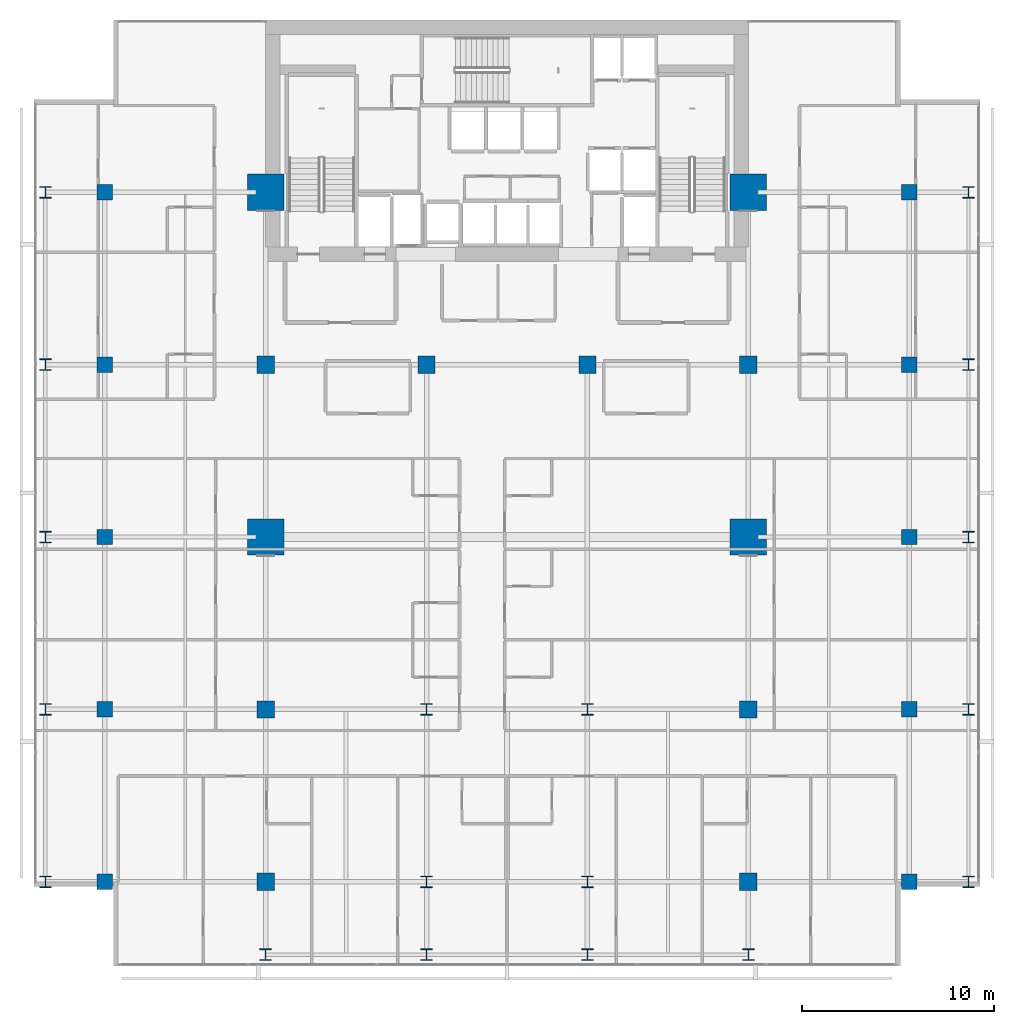
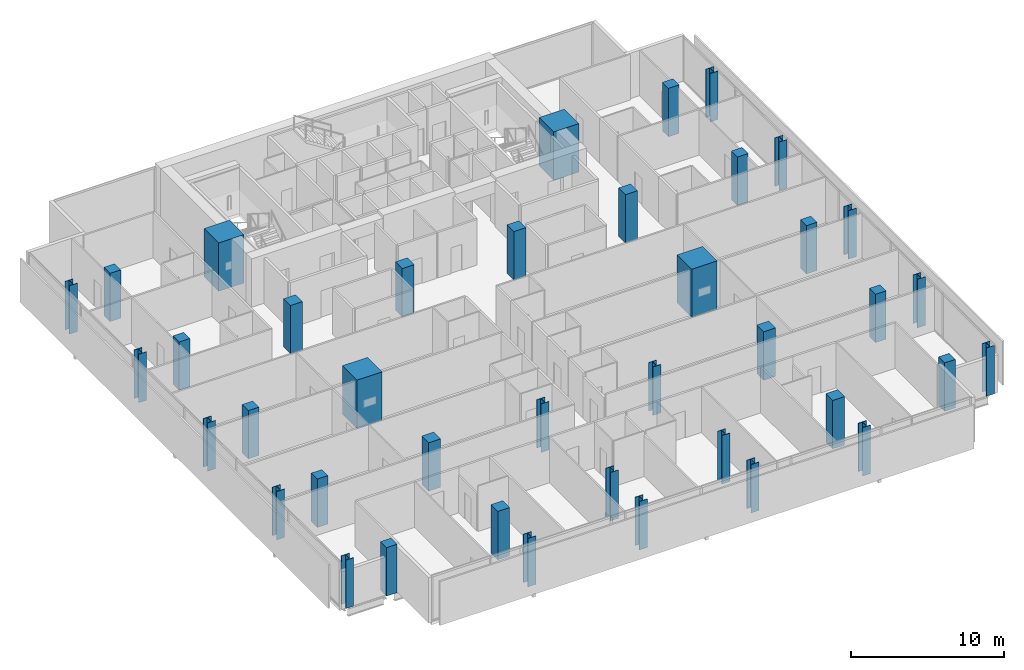
# One storey, part 1 of 34: 40 columns.
"""IFC4 building model written with IfcOpenShell, lengths in metres."""

from ifc_helpers import new_model, si_unit, direction, frame, origin, origin_2d, place, context, subcontext, project, spatial, rectangle, i_section, extrude, material, material_profile, profile_set, type_object, element, save


model = new_model("IFC4")

# Units and contexts
model_context = context("Model", 3, precision=1e-05, world=origin(), true_north=direction((0.0, 1.0)))
body_context = subcontext(model_context, "Body", "Model", "MODEL_VIEW")
ifc_project = project(units=[si_unit("LENGTHUNIT", "METRE"), si_unit("AREAUNIT", "SQUARE_METRE"), si_unit("VOLUMEUNIT", "CUBIC_METRE"), si_unit("PLANEANGLEUNIT", "RADIAN"), si_unit("MASSUNIT", "GRAM", prefix="KILO")], contexts=[model_context])

# Site, building, storey
site_placement = place(None, origin())
site = spatial("IfcSite", under=ifc_project, at=site_placement, CompositionType="ELEMENT")
building_placement = place(site_placement, origin())
building = spatial("IfcBuilding", under=site, at=building_placement, Name="Maruvema Waterfront Hotel and Observation Tower", CompositionType="ELEMENT")
storey_placement = place(building_placement, frame((0.0, 0.0, 146.64990234375)))
storey = spatial("IfcBuildingStorey", under=building, at=storey_placement, Name="L35", CompositionType="ELEMENT", Elevation=146.64990234375)

# Columns
ifc_material_1 = material(Name="Concrete C80/95", Category="concrete")
ifc_material_profile_1 = material_profile(ifc_material_1, rectangle(XDim=1.89990234375, YDim=1.89990234375, at=origin_2d()), Name="MC1900x1900")
ifc_profile_set_1 = profile_set([ifc_material_profile_1], Name="Concrete C80/95")
column_type_1 = type_object("IfcColumnType", Name="Continuous Mega-Column MC1900x1900", PredefinedType="COLUMN", material=ifc_profile_set_1)
for number, where, z_axis, x_axis, name in (
    (1, (25.199951171875, 27.0, 0.0), (0.0, 0.0, 1.0), (1.0, 0.0, 0.0), "L35 Continuous Mega-Column MC-01"),
    (2, (50.39990234375, 27.0, 0.0), (0.0, 0.0, 1.0), (1.0, 0.0, 0.0), "L35 Continuous Mega-Column MC-02"),
    (3, (25.199951171875, 45.0, 0.0), (0.0, 0.0, 1.0), (1.0, 0.0, 0.0), "L35 Continuous Mega-Column MC-03"),
    (4, (50.39990234375, 45.0, 0.0), (0.0, 0.0, 1.0), (1.0, 0.0, 0.0), "L35 Continuous Mega-Column MC-04"),
):
    element("IfcColumn", number, at=place(storey_placement, frame(where, z_axis=z_axis, x_axis=x_axis)), inside=storey, type_object=column_type_1, Name=name, PredefinedType="COLUMN", context=body_context, shape_type="SweptSolid", body=[
        extrude(rectangle(XDim=1.89990234375, YDim=1.89990234375, at=origin_2d()), origin(), (0.0, 0.0, 1.0), 3.85009765625),
    ])
ifc_material_2 = material(Name="Concrete C60/75", Category="concrete")
ifc_material_profile_2 = material_profile(ifc_material_2, rectangle(XDim=0.800048828125, YDim=0.800048828125, at=origin_2d()), Name="RC800x800")
ifc_profile_set_2 = profile_set([ifc_material_profile_2], Name="Concrete C60/75")
column_type_2 = type_object("IfcColumnType", Name="Reinforced Concrete Column RC800x800", PredefinedType="COLUMN", material=ifc_profile_set_2)
for number, where, z_axis, x_axis, name in (
    (5, (16.800048828125, 9.0, 0.0), (0.0, 0.0, 1.0), (1.0, 0.0, 0.0), "L35 Column C-3Y9"),
    (6, (58.800048828125, 9.0, 0.0), (0.0, 0.0, 1.0), (1.0, 0.0, 0.0), "L35 Column C-8Y9"),
    (7, (16.800048828125, 18.0, 0.0), (0.0, 0.0, 1.0), (1.0, 0.0, 0.0), "L35 Column C-3Y18"),
    (8, (58.800048828125, 18.0, 0.0), (0.0, 0.0, 1.0), (1.0, 0.0, 0.0), "L35 Column C-8Y18"),
    (9, (16.800048828125, 27.0, 0.0), (0.0, 0.0, 1.0), (1.0, 0.0, 0.0), "L35 Column C-3Y27"),
    (10, (58.800048828125, 27.0, 0.0), (0.0, 0.0, 1.0), (1.0, 0.0, 0.0), "L35 Column C-8Y27"),
    (11, (16.800048828125, 36.0, 0.0), (0.0, 0.0, 1.0), (1.0, 0.0, 0.0), "L35 Column C-3Y36"),
    (12, (58.800048828125, 36.0, 0.0), (0.0, 0.0, 1.0), (1.0, 0.0, 0.0), "L35 Column C-8Y36"),
    (13, (16.800048828125, 45.0, 0.0), (0.0, 0.0, 1.0), (1.0, 0.0, 0.0), "L35 Column C-3Y45"),
    (14, (58.800048828125, 45.0, 0.0), (0.0, 0.0, 1.0), (1.0, 0.0, 0.0), "L35 Column C-8Y45"),
):
    element("IfcColumn", number, at=place(storey_placement, frame(where, z_axis=z_axis, x_axis=x_axis)), inside=storey, type_object=column_type_2, Name=name, PredefinedType="COLUMN", context=body_context, shape_type="SweptSolid", body=[
        extrude(rectangle(XDim=0.800048828125, YDim=0.800048828125, at=origin_2d()), origin(), (0.0, 0.0, 1.0), 3.85009765625),
    ])
ifc_material_3 = material(Name="Concrete C60/75", Category="concrete")
ifc_material_profile_3 = material_profile(ifc_material_3, rectangle(XDim=0.89990234375, YDim=0.89990234375, at=origin_2d()), Name="RC900x900")
ifc_profile_set_3 = profile_set([ifc_material_profile_3], Name="Concrete C60/75")
column_type_3 = type_object("IfcColumnType", Name="Reinforced Concrete Column RC900x900", PredefinedType="COLUMN", material=ifc_profile_set_3)
for number, where, z_axis, x_axis, name in (
    (15, (25.199951171875, 36.0, 0.0), (0.0, 0.0, 1.0), (1.0, 0.0, 0.0), "L35 Column C-4E"),
    (16, (33.60009765625, 36.0, 0.0), (0.0, 0.0, 1.0), (1.0, 0.0, 0.0), "L35 Column C-5E"),
    (17, (42.0, 36.0, 0.0), (0.0, 0.0, 1.0), (1.0, 0.0, 0.0), "L35 Column C-6E"),
    (18, (50.39990234375, 36.0, 0.0), (0.0, 0.0, 1.0), (1.0, 0.0, 0.0), "L35 Column C-7E"),
    (19, (25.199951171875, 18.0, 0.0), (0.0, 0.0, 1.0), (1.0, 0.0, 0.0), "L35 Column C-4C"),
    (20, (50.39990234375, 18.0, 0.0), (0.0, 0.0, 1.0), (1.0, 0.0, 0.0), "L35 Column C-7C"),
    (21, (25.199951171875, 9.0, 0.0), (0.0, 0.0, 1.0), (1.0, 0.0, 0.0), "L35 Column C-4B"),
    (22, (50.39990234375, 9.0, 0.0), (0.0, 0.0, 1.0), (1.0, 0.0, 0.0), "L35 Column C-7B"),
):
    element("IfcColumn", number, at=place(storey_placement, frame(where, z_axis=z_axis, x_axis=x_axis)), inside=storey, type_object=column_type_3, Name=name, PredefinedType="COLUMN", context=body_context, shape_type="SweptSolid", body=[
        extrude(rectangle(XDim=0.89990234375, YDim=0.89990234375, at=origin_2d()), origin(), (0.0, 0.0, 1.0), 3.85009765625),
    ])
ifc_material_4 = material(Name="Steel ABNT NBR 7007 AR 415 (ASTM A572 Grade 50)", Category="steel")
ifc_material_profile_4 = material_profile(ifc_material_4, i_section(OverallWidth=0.60009765625, OverallDepth=0.60009765625, WebThickness=0.02490234375, FlangeThickness=0.0380859375, at=origin_2d()), Name="CVS600x317")
ifc_profile_set_4 = profile_set([ifc_material_profile_4], Name="Steel ABNT NBR 7007 AR 415 (ASTM A572 Grade 50)")
column_type_4 = type_object("IfcColumnType", Name="Structural Steel Column CVS600x317", PredefinedType="COLUMN", material=ifc_profile_set_4)
for number, where, z_axis, x_axis, name in (
    (23, (33.60009765625, 9.0, 0.0), (0.0, 0.0, 1.0), (1.0, 0.0, 0.0), "L35 Column C-5B"),
    (24, (42.0, 9.0, 0.0), (0.0, 0.0, 1.0), (1.0, 0.0, 0.0), "L35 Column C-6B"),
    (25, (33.60009765625, 18.0, 0.0), (0.0, 0.0, 1.0), (1.0, 0.0, 0.0), "L35 Column C-5C"),
    (26, (42.0, 18.0, 0.0), (0.0, 0.0, 1.0), (1.0, 0.0, 0.0), "L35 Column C-6C"),
    (27, (13.699951171875, 9.0, 0.0), (0.0, 0.0, 1.0), (1.0, 0.0, 0.0), "L35 Column C-Z2W9"),
    (28, (61.89990234375, 9.0, 0.0), (0.0, 0.0, 1.0), (1.0, 0.0, 0.0), "L35 Column C-Z2E9"),
    (29, (13.699951171875, 18.0, 0.0), (0.0, 0.0, 1.0), (1.0, 0.0, 0.0), "L35 Column C-Z2W18"),
    (30, (61.89990234375, 18.0, 0.0), (0.0, 0.0, 1.0), (1.0, 0.0, 0.0), "L35 Column C-Z2E18"),
    (31, (13.699951171875, 27.0, 0.0), (0.0, 0.0, 1.0), (1.0, 0.0, 0.0), "L35 Column C-Z2W27"),
    (32, (61.89990234375, 27.0, 0.0), (0.0, 0.0, 1.0), (1.0, 0.0, 0.0), "L35 Column C-Z2E27"),
    (33, (13.699951171875, 36.0, 0.0), (0.0, 0.0, 1.0), (1.0, 0.0, 0.0), "L35 Column C-Z2W36"),
    (34, (61.89990234375, 36.0, 0.0), (0.0, 0.0, 1.0), (1.0, 0.0, 0.0), "L35 Column C-Z2E36"),
    (35, (13.699951171875, 45.0, 0.0), (0.0, 0.0, 1.0), (1.0, 0.0, 0.0), "L35 Column C-Z2W45"),
    (36, (61.89990234375, 45.0, 0.0), (0.0, 0.0, 1.0), (1.0, 0.0, 0.0), "L35 Column C-Z2E45"),
    (37, (25.199951171875, 5.199951171875, 0.0), (0.0, 0.0, 1.0), (1.0, 0.0, 0.0), "L35 Column C-Z2S4"),
    (38, (33.60009765625, 5.199951171875, 0.0), (0.0, 0.0, 1.0), (1.0, 0.0, 0.0), "L35 Column C-Z2S5"),
    (39, (42.0, 5.199951171875, 0.0), (0.0, 0.0, 1.0), (1.0, 0.0, 0.0), "L35 Column C-Z2S6"),
    (40, (50.39990234375, 5.199951171875, 0.0), (0.0, 0.0, 1.0), (1.0, 0.0, 0.0), "L35 Column C-Z2S7"),
):
    element("IfcColumn", number, at=place(storey_placement, frame(where, z_axis=z_axis, x_axis=x_axis)), inside=storey, type_object=column_type_4, Name=name, PredefinedType="COLUMN", context=body_context, shape_type="SweptSolid", body=[
        extrude(i_section(OverallWidth=0.60009765625, OverallDepth=0.60009765625, WebThickness=0.02490234375, FlangeThickness=0.0380859375, at=origin_2d()), origin(), (0.0, 0.0, 1.0), 3.85009765625),
    ])

save(model, "model.ifc")
